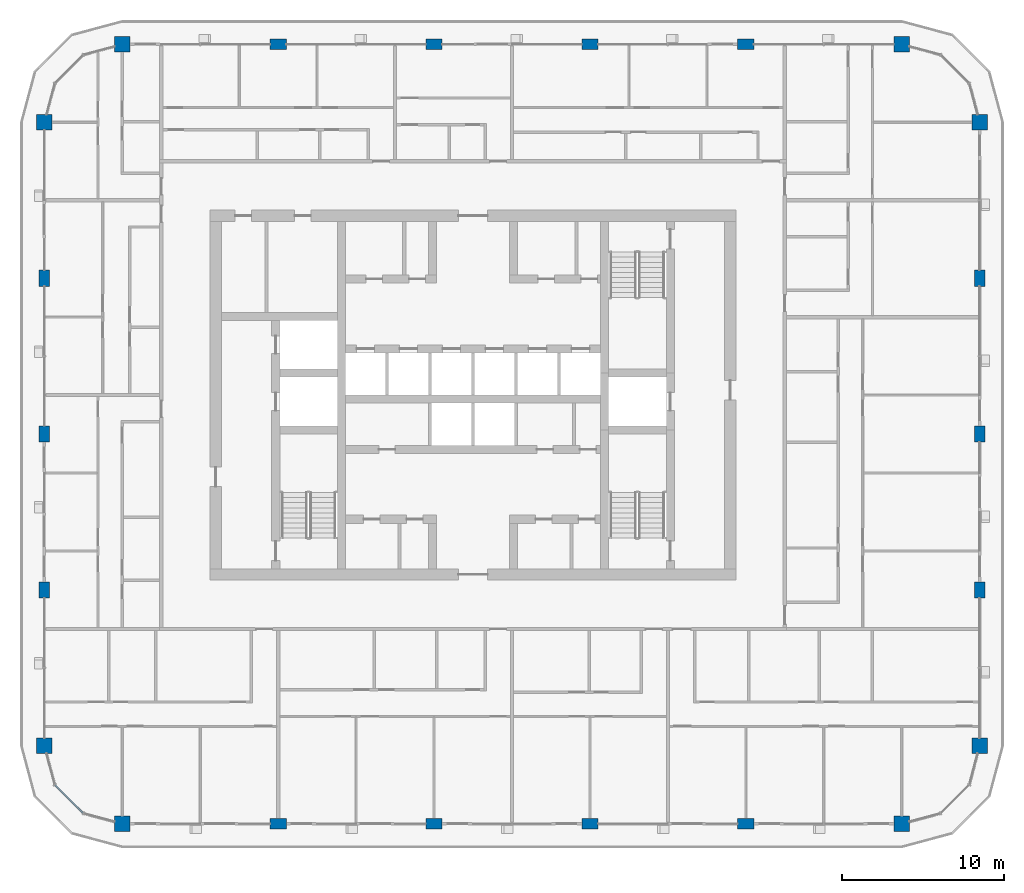
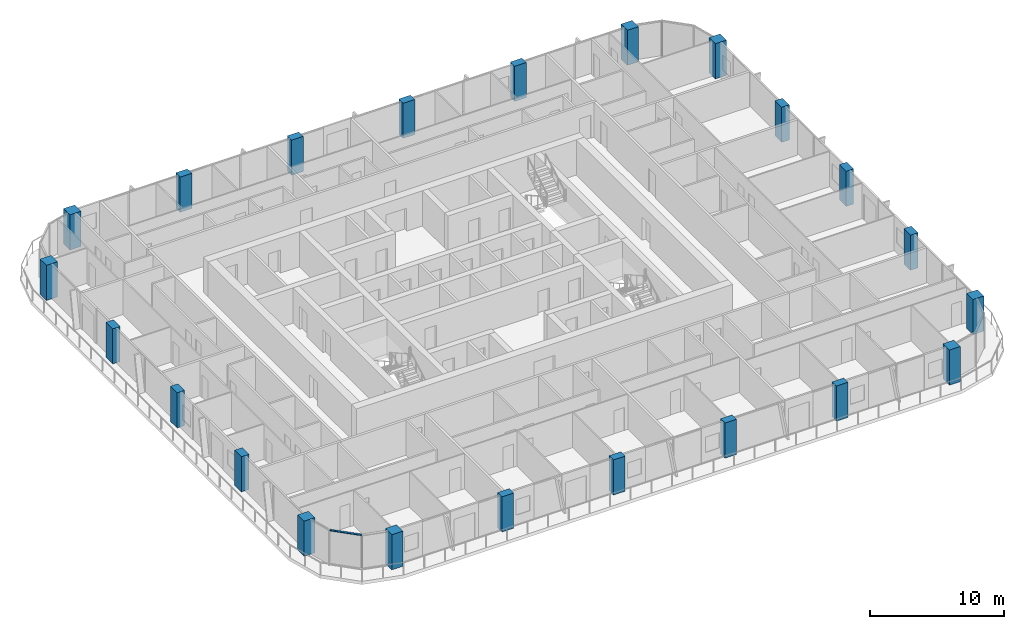
# One storey, part 1 of 22: 22 columns, 1 member, 1 element without a shape of its own.
"""IFC4 building model written with IfcOpenShell, lengths in metres."""

import ifcopenshell
import ifcopenshell.guid

model = None  # the IFC model being written
_history = None  # IfcOwnerHistory: only IFC2X3 demands one
_inside = {}  # id of a spatial element -> (the spatial element, [elements in it])
_under = {}  # id of a project, library or spatial element -> (it, [spatial elements below it])
_declared = {}  # id of a project -> (the project, [libraries it declares])
_typed = {}  # id of a type object -> (the type object, [elements of that type])
_made_of = {}  # id of a material, layer set ... -> (it, [elements and type objects made of it])


def new_model(schema):
    """Start an empty IFC model of exactly this schema.

    Asked for "IFC4X3", IfcOpenShell would pick the latest addendum, in which some entities
    have other attributes; the version numbers below select the first issue.
    IFC2X3 requires an IfcOwnerHistory on every rooted entity: one is made here for all.
    """
    global model, _history
    if schema == "IFC4X3":
        model = ifcopenshell.file(schema_version=(4, 3, 0, 0))
    else:
        model = ifcopenshell.file(schema=schema)
    _inside.clear()
    _under.clear()
    _declared.clear()
    _typed.clear()
    _made_of.clear()
    _history = None
    if model.schema == "IFC2X3":
        org = make("IfcOrganization", Name="unknown")
        user = make(
            "IfcPersonAndOrganization",
            ThePerson=make("IfcPerson", FamilyName="unknown"),
            TheOrganization=org,
        )
        app = make(
            "IfcApplication",
            ApplicationDeveloper=org,
            Version="unknown",
            ApplicationFullName="unknown",
            ApplicationIdentifier="unknown",
        )
        _history = make(
            "IfcOwnerHistory",
            OwningUser=user,
            OwningApplication=app,
            ChangeAction="ADDED",
            CreationDate=0,
        )
    return model


def make(cls, **values):
    """One entity of the class cls with the attributes given. An attribute that is None is left unset."""
    return model.create_entity(
        cls, **{name: value for name, value in values.items() if value is not None}
    )


def rooted(cls, **values):
    """An entity with a GlobalId (a new one), such as an element, a storey or a relation."""
    return make(cls, GlobalId=ifcopenshell.guid.new(), OwnerHistory=_history, **values)


def si_unit(unit_type, name, prefix=None):
    """IfcSIUnit, for example si_unit("LENGTHUNIT", "METRE", prefix="MILLI")."""
    return make("IfcSIUnit", UnitType=unit_type, Prefix=prefix, Name=name)


def assignment(units):
    """IfcUnitAssignment: the units of a project."""
    return None if units is None else make("IfcUnitAssignment", Units=units)


def point(xyz):
    """IfcCartesianPoint."""
    return None if xyz is None else make("IfcCartesianPoint", Coordinates=xyz)


def direction(xyz):
    """IfcDirection."""
    return None if xyz is None else make("IfcDirection", DirectionRatios=xyz)


def frame(location, z_axis=None, x_axis=None):
    """IfcAxis2Placement3D, a coordinate frame: its origin and axes. An axis left out is left unset."""
    return make(
        "IfcAxis2Placement3D",
        Location=point(location),
        Axis=direction(z_axis),
        RefDirection=direction(x_axis),
    )


def frame_2d(location, x_axis=None):
    """IfcAxis2Placement2D, a coordinate frame in the plane: its origin and x axis."""
    return make(
        "IfcAxis2Placement2D", Location=point(location), RefDirection=direction(x_axis)
    )


def origin():
    """The frame at (0, 0, 0) with its axes left unset."""
    return frame((0.0, 0.0, 0.0))


def origin_2d():
    """The frame at (0, 0) in the plane with its x axis left unset."""
    return frame_2d((0.0, 0.0))


def place(relative_to, where):
    """IfcLocalPlacement: puts the frame where relative to a parent placement (None: the world)."""
    return make(
        "IfcLocalPlacement", PlacementRelTo=relative_to, RelativePlacement=where
    )


def context(
    kind, dimensions, precision=None, world=None, true_north=None, identifier=None
):
    """IfcGeometricRepresentationContext, for example the 3D "Model" context."""
    return make(
        "IfcGeometricRepresentationContext",
        ContextIdentifier=identifier,
        ContextType=kind,
        CoordinateSpaceDimension=dimensions,
        Precision=precision,
        WorldCoordinateSystem=world,
        TrueNorth=true_north,
    )


def subcontext(parent, identifier, kind, view, scale=None):
    """IfcGeometricRepresentationSubContext, for example "Body" below "Model"."""
    return make(
        "IfcGeometricRepresentationSubContext",
        ContextIdentifier=identifier,
        ContextType=kind,
        ParentContext=parent,
        TargetScale=scale,
        TargetView=view,
    )


def project(units=None, contexts=None):
    """IfcProject with its units and contexts."""
    return rooted(
        "IfcProject",
        Name="project",
        RepresentationContexts=contexts,
        UnitsInContext=assignment(units),
    )


def spatial(cls, under=None, at=None, **own):
    """A site, building, storey or space (cls), placed at a placement, below another one or the project."""
    s = rooted(cls, ObjectPlacement=at, **own)
    if under is not None:
        _under.setdefault(under.id(), (under, []))[1].append(s)
    return s


def profile(cls, at=None, kind="AREA", **sizes):
    """A parametric profile (cls). Its sizes go by their IFC names, for example OverallWidth=200.0."""
    return make(cls, ProfileType=kind, Position=at, **sizes)


def rectangle(**sizes):
    """IfcRectangleProfileDef."""
    return profile("IfcRectangleProfileDef", **sizes)


def extrude(swept, where, along, depth):
    """IfcExtrudedAreaSolid: the profile swept, set in the frame where, extruded along a direction by depth."""
    return make(
        "IfcExtrudedAreaSolid",
        SweptArea=swept,
        Position=where,
        ExtrudedDirection=direction(along),
        Depth=depth,
    )


def shape(context_of_items, identifier, shape_type, items):
    """IfcShapeRepresentation: the items that make up one representation, for example the "Body"."""
    return make(
        "IfcShapeRepresentation",
        ContextOfItems=context_of_items,
        RepresentationIdentifier=identifier,
        RepresentationType=shape_type,
        Items=items,
    )


def material(Name=None, Category=None):
    """IfcMaterial."""
    return make("IfcMaterial", Name=Name, Category=Category)


def layer(
    of_material, thickness, ventilated=None, Name=None, Category=None, Priority=None
):
    """IfcMaterialLayer: one layer of a wall or slab, of a material (None: an air gap)."""
    return make(
        "IfcMaterialLayer",
        Material=of_material,
        LayerThickness=thickness,
        IsVentilated=ventilated,
        Name=Name,
        Category=Category,
        Priority=Priority,
    )


def layer_set(layers, Name=None):
    """IfcMaterialLayerSet."""
    return make("IfcMaterialLayerSet", MaterialLayers=layers, LayerSetName=Name)


def material_profile(
    of_material, cross_section, Name=None, Category=None, Priority=None
):
    """IfcMaterialProfile: a cross section and its material."""
    return make(
        "IfcMaterialProfile",
        Name=Name,
        Material=of_material,
        Profile=cross_section,
        Priority=Priority,
        Category=Category,
    )


def profile_set(profiles, Name=None, composite=None):
    """IfcMaterialProfileSet."""
    return make(
        "IfcMaterialProfileSet",
        Name=Name,
        MaterialProfiles=profiles,
        CompositeProfile=composite,
    )


def made_of(thing, what):
    """Note that an element or type object is made of a material, layer set ...; save() writes the relation."""
    if what is not None:
        _made_of.setdefault(what.id(), (what, []))[1].append(thing)
    return thing


def type_object(cls, material=None, **own):
    """A type object (cls), such as IfcWallType, which elements share."""
    return made_of(rooted(cls, **own), material)


def element(
    cls,
    number,
    at=None,
    inside=None,
    cuts=None,
    type_object=None,
    material=None,
    context=None,
    identifier="Body",
    shape_type=None,
    held_by="IfcProductDefinitionShape",
    body=None,
    shapes=None,
    **own,
):
    """One element of the class cls, such as IfcWall. Its Tag is "e" and its number.

    at: its placement. inside: the storey or other place that contains it. cuts: it is an
    opening in that element (IfcRelVoidsElement). A single representation is given by context,
    identifier, shape_type and body (its items); several are given by shapes. held_by: the class
    of the entity that holds the representations. save() writes the other relations.
    """
    e = rooted(cls, Tag="e%d" % number, ObjectPlacement=at, **own)
    if body is not None:
        shapes = [shape(context, identifier, shape_type, body)]
    if shapes is not None:
        e.Representation = make(held_by, Representations=shapes)
    if inside is not None:
        _inside.setdefault(inside.id(), (inside, []))[1].append(e)
    if cuts is not None:
        rooted(
            "IfcRelVoidsElement", RelatingBuildingElement=cuts, RelatedOpeningElement=e
        )
    if type_object is not None:
        _typed.setdefault(type_object.id(), (type_object, []))[1].append(e)
    return made_of(e, material)


def aggregate(whole, parts):
    """IfcRelAggregates: a whole, such as a stair, and the parts it consists of."""
    return rooted("IfcRelAggregates", RelatingObject=whole, RelatedObjects=parts)


def save(model, path):
    """Write the relations noted so far, then the file.

    IfcRelAggregates (storeys below a building ...), IfcRelContainedInSpatialStructure (elements
    in a storey), IfcRelDefinesByType, IfcRelAssociatesMaterial and IfcRelDeclares: one each for
    every whole, place, type object, material and project.
    """
    for whole, parts in _under.values():
        aggregate(whole, parts)
    for where, things in _inside.values():
        rooted(
            "IfcRelContainedInSpatialStructure",
            RelatedElements=things,
            RelatingStructure=where,
        )
    for kind, things in _typed.values():
        rooted("IfcRelDefinesByType", RelatedObjects=things, RelatingType=kind)
    for what, things in _made_of.values():
        rooted("IfcRelAssociatesMaterial", RelatedObjects=things, RelatingMaterial=what)
    for by, libraries in _declared.values():
        rooted("IfcRelDeclares", RelatingContext=by, RelatedDefinitions=libraries)
    model.write(path)


model = new_model("IFC4")

# Units and contexts
model_context = context("Model", 3, precision=1e-05, world=origin(), true_north=direction((0.0, 1.0)))
body_context = subcontext(model_context, "Body", "Model", "MODEL_VIEW")
ifc_project = project(units=[si_unit("LENGTHUNIT", "METRE"), si_unit("AREAUNIT", "SQUARE_METRE"), si_unit("VOLUMEUNIT", "CUBIC_METRE"), si_unit("PLANEANGLEUNIT", "RADIAN"), si_unit("MASSUNIT", "GRAM", prefix="KILO")], contexts=[model_context])

# Site, building, storey
site_placement = place(None, origin())
site = spatial("IfcSite", under=ifc_project, at=site_placement, CompositionType="ELEMENT")
building_placement = place(site_placement, origin())
building = spatial("IfcBuilding", under=site, at=building_placement, Name="Madar Terraces", CompositionType="ELEMENT")
storey_placement = place(building_placement, frame((0.0, 0.0, 182.39990234375)))
storey = spatial("IfcBuildingStorey", under=building, at=storey_placement, Name="L47", CompositionType="ELEMENT", Elevation=182.39990234375)

# Columns
ifc_material_1 = material(Name="Concrete C60/75", Category="concrete")
ifc_material_profile_1 = material_profile(ifc_material_1, rectangle(XDim=1.0, YDim=0.64990234375, at=origin_2d()), Name="CC4 RC 1000x650")
ifc_profile_set_1 = profile_set([ifc_material_profile_1], Name="Concrete C60/75")
column_type_1 = type_object("IfcColumnType", Name="CC4 RC 1000x650", PredefinedType="COLUMN", material=ifc_profile_set_1)
for number, where, z_axis, x_axis, name in (
    (1, (19.199951171875, 0.0, 0.0), (0.0, 0.0, 1.0), (1.0, 0.0, 0.0), "Perimeter column S2"),
    (2, (28.800048828125, 0.0, 0.0), (0.0, 0.0, 1.0), (1.0, 0.0, 0.0), "Perimeter column S3"),
    (3, (38.39990234375, 0.0, 0.0), (0.0, 0.0, 1.0), (1.0, 0.0, 0.0), "Perimeter column S4"),
    (4, (48.0, 0.0, 0.0), (0.0, 0.0, 1.0), (1.0, 0.0, 0.0), "Perimeter column S5"),
    (5, (62.39990234375, 14.39990234375, 0.0), (0.0, 0.0, 1.0), (0.0, 1.0, 0.0), "Perimeter column E2"),
    (6, (62.39990234375, 24.0, 0.0), (0.0, 0.0, 1.0), (0.0, 1.0, 0.0), "Perimeter column E3"),
    (7, (62.39990234375, 33.60009765625, 0.0), (0.0, 0.0, 1.0), (0.0, 1.0, 0.0), "Perimeter column E4"),
    (8, (48.0, 48.0, 0.0), (0.0, 0.0, 1.0), (1.0, 0.0, 0.0), "Perimeter column N2"),
    (9, (38.39990234375, 48.0, 0.0), (0.0, 0.0, 1.0), (1.0, 0.0, 0.0), "Perimeter column N3"),
    (10, (28.800048828125, 48.0, 0.0), (0.0, 0.0, 1.0), (1.0, 0.0, 0.0), "Perimeter column N4"),
    (11, (19.199951171875, 48.0, 0.0), (0.0, 0.0, 1.0), (1.0, 0.0, 0.0), "Perimeter column N5"),
    (12, (4.800048828125, 33.60009765625, 0.0), (0.0, 0.0, 1.0), (0.0, 1.0, 0.0), "Perimeter column W2"),
    (13, (4.800048828125, 24.0, 0.0), (0.0, 0.0, 1.0), (0.0, 1.0, 0.0), "Perimeter column W3"),
    (14, (4.800048828125, 14.39990234375, 0.0), (0.0, 0.0, 1.0), (0.0, 1.0, 0.0), "Perimeter column W4"),
):
    element("IfcColumn", number, at=place(storey_placement, frame(where, z_axis=z_axis, x_axis=x_axis)), inside=storey, type_object=column_type_1, Name=name, PredefinedType="COLUMN", context=body_context, shape_type="SweptSolid", body=[
        extrude(rectangle(XDim=1.0, YDim=0.64990234375, at=origin_2d()), origin(), (0.0, 0.0, 1.0), 3.2001953125),
    ])
ifc_material_2 = material(Name="Concrete C60/75", Category="concrete")
ifc_material_profile_2 = material_profile(ifc_material_2, rectangle(XDim=0.949951171875, YDim=0.949951171875, at=origin_2d()), Name="KC4 RC 950x950")
ifc_profile_set_2 = profile_set([ifc_material_profile_2], Name="Concrete C60/75")
column_type_2 = type_object("IfcColumnType", Name="KC4 RC 950x950", PredefinedType="COLUMN", material=ifc_profile_set_2)
for number, where, z_axis, x_axis, name in (
    (15, (9.60009765625, 0.0, 0.0), (0.0, 0.0, 1.0), (1.0, 0.0, 0.0), "Perimeter column S1"),
    (16, (57.60009765625, 0.0, 0.0), (0.0, 0.0, 1.0), (1.0, 0.0, 0.0), "Perimeter column S6"),
    (17, (62.39990234375, 4.800048828125, 0.0), (0.0, 0.0, 1.0), (1.0, 0.0, 0.0), "Perimeter column E1"),
    (18, (62.39990234375, 43.199951171875, 0.0), (0.0, 0.0, 1.0), (1.0, 0.0, 0.0), "Perimeter column E5"),
    (19, (57.60009765625, 48.0, 0.0), (0.0, 0.0, 1.0), (1.0, 0.0, 0.0), "Perimeter column N1"),
    (20, (9.60009765625, 48.0, 0.0), (0.0, 0.0, 1.0), (1.0, 0.0, 0.0), "Perimeter column N6"),
    (21, (4.800048828125, 43.199951171875, 0.0), (0.0, 0.0, 1.0), (1.0, 0.0, 0.0), "Perimeter column W1"),
    (22, (4.800048828125, 4.800048828125, 0.0), (0.0, 0.0, 1.0), (1.0, 0.0, 0.0), "Perimeter column W5"),
):
    element("IfcColumn", number, at=place(storey_placement, frame(where, z_axis=z_axis, x_axis=x_axis)), inside=storey, type_object=column_type_2, Name=name, PredefinedType="COLUMN", context=body_context, shape_type="SweptSolid", body=[
        extrude(rectangle(XDim=0.949951171875, YDim=0.949951171875, at=origin_2d()), origin(), (0.0, 0.0, 1.0), 3.2001953125),
    ])

# Curtain wall, member
ifc_material_3 = material(Name="Glass, ceramic frit dark grey, with black aluminium frame", Category="aluminium")
ifc_layer = layer(ifc_material_3, 0.199951171875)
ifc_layer_set = layer_set([ifc_layer], Name="Facade curtain wall, fritted glass")
curtain_wall_type = type_object("IfcCurtainWallType", Name="Facade curtain wall, fritted glass", PredefinedType="NOTDEFINED", material=ifc_layer_set)
curtain_wall_placement = place(storey_placement, origin())
curtain_wall = element("IfcCurtainWall", 23, at=curtain_wall_placement, inside=storey, type_object=curtain_wall_type, Name="Outer skin curtain wall south-west corner", PredefinedType="NOTDEFINED")
ifc_material_4 = material(Name="Aluminium, black anodised", Category="aluminium")
ifc_material_profile_3 = material_profile(ifc_material_4, rectangle(XDim=0.1201171875, YDim=0.06005859375, at=origin_2d()), Name="Facade transom 60x120")
ifc_profile_set_3 = profile_set([ifc_material_profile_3], Name="Aluminium, black anodised")
member_type = type_object("IfcMemberType", Name="Facade transom 60x120", PredefinedType="USERDEFINED", material=ifc_profile_set_3)
member_placement = place(storey_placement, frame((5.46435546875, 2.37890625, 3.170166015625), z_axis=(0.707056433593, -0.707157125196, 0.0), x_axis=(0.707157125196, 0.707056433593, 0.0)))
member = element("IfcMember", 24, at=member_placement, type_object=member_type, Name="Transom 2", ObjectType="TRANSOM", PredefinedType="USERDEFINED", context=body_context, shape_type="SweptSolid", body=[
    extrude(rectangle(XDim=0.1201171875, YDim=0.06005859375, at=origin_2d()), origin(), (0.0, 0.0, 1.0), 2.424560546875),
])
aggregate(curtain_wall, [member])

save(model, "model.ifc")
